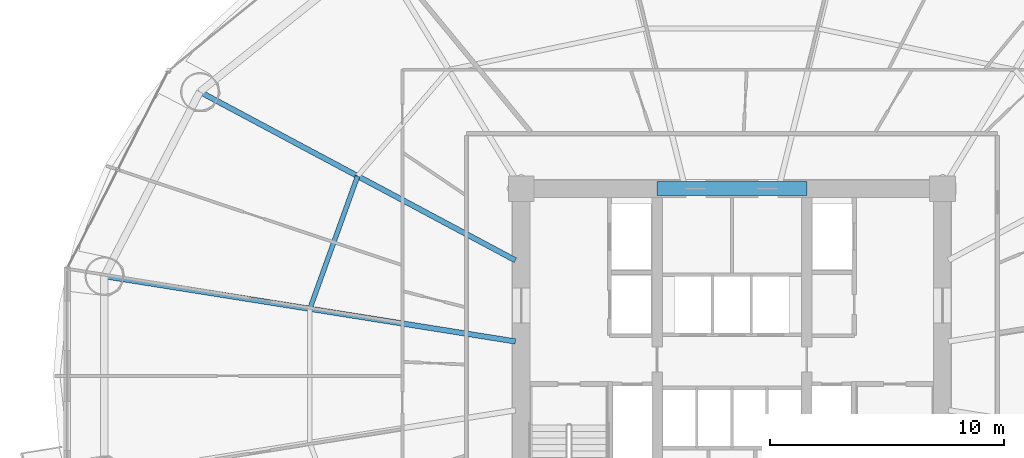
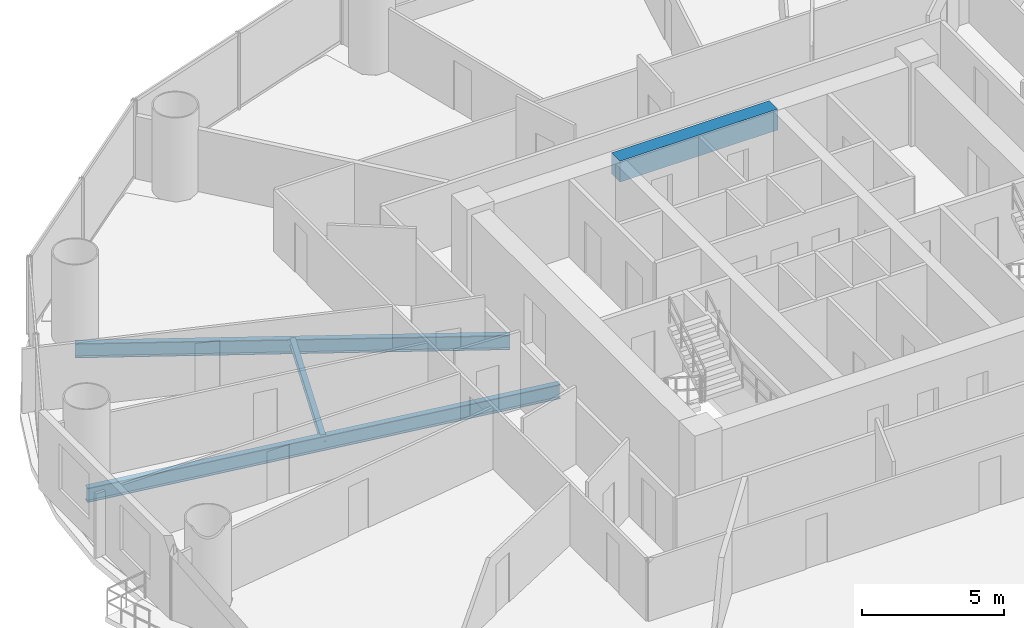
# One storey, part 7 of 28: 4 beams.
"""IFC4 building model written with IfcOpenShell, lengths in metres."""

from ifc_helpers import new_model, si_unit, direction, frame, origin, origin_2d, place, context, subcontext, project, spatial, rectangle, i_section, extrude, material, material_profile, profile_set, type_object, element, save


model = new_model("IFC4")

# Units and contexts
model_context = context("Model", 3, precision=1e-05, world=origin(), true_north=direction((-0.2419218956, 0.970295726276)))
body_context = subcontext(model_context, "Body", "Model", "MODEL_VIEW")
ifc_project = project(units=[si_unit("LENGTHUNIT", "METRE"), si_unit("AREAUNIT", "SQUARE_METRE"), si_unit("VOLUMEUNIT", "CUBIC_METRE"), si_unit("PLANEANGLEUNIT", "RADIAN"), si_unit("MASSUNIT", "GRAM", prefix="KILO")], contexts=[model_context])

# Site, building, storey
site_placement = place(None, origin())
site = spatial("IfcSite", under=ifc_project, at=site_placement, CompositionType="ELEMENT")
building_placement = place(site_placement, origin())
building = spatial("IfcBuilding", under=site, at=building_placement, Name="Cobrevalo Terracotta Tower", CompositionType="ELEMENT")
storey_placement = place(building_placement, frame((0.0, 0.0, 34.800048828125)))
storey = spatial("IfcBuildingStorey", under=building, at=storey_placement, Name="L08", CompositionType="ELEMENT", Elevation=34.800048828125)

# Beams
ifc_material_1 = material(Name="Concrete C60", Category="concrete")
ifc_material_profile_1 = material_profile(ifc_material_1, rectangle(XDim=0.60009765625, YDim=0.89990234375, at=origin_2d()), Name="RC CB 600x900")
ifc_profile_set_1 = profile_set([ifc_material_profile_1], Name="Concrete C60")
beam_type_1 = type_object("IfcBeamType", Name="Structural Beam RC CB 600x900 (Concrete C60)", PredefinedType="BEAM", material=ifc_profile_set_1)
beam_1_placement = place(storey_placement, frame((34.800048828125, 34.800048828125, 2.869873046875), z_axis=(1.0, 0.0, 0.0), x_axis=(0.0, 1.0, 0.0)))
element("IfcBeam", 1, at=beam_1_placement, inside=storey, type_object=beam_type_1, Name="L08 core coupling beam 2", PredefinedType="BEAM", context=body_context, shape_type="SweptSolid", body=[
    extrude(rectangle(XDim=0.60009765625, YDim=0.89990234375, at=origin_2d()), origin(), (0.0, 0.0, 1.0), 6.39990234375),
])
ifc_material_2 = material(Name="Steel S355", Category="steel")
ifc_material_profile_2 = material_profile(ifc_material_2, i_section(OverallWidth=0.22998046875, OverallDepth=0.616943359375, WebThickness=0.01318359375, FlangeThickness=0.022216796875, at=origin_2d()), Name="W 610x140")
ifc_profile_set_2 = profile_set([ifc_material_profile_2], Name="Steel S355")
beam_type_2 = type_object("IfcBeamType", Name="Structural Beam W 610x140 (Steel S355)", PredefinedType="BEAM", material=ifc_profile_set_2)
beam_2_placement = place(storey_placement, frame((15.25927734375, 38.939208984375, -0.588623046875), z_axis=(0.88218223571, -0.470908168329, 0.0), x_axis=(0.470908168329, 0.88218223571, 0.0)))
element("IfcBeam", 2, at=beam_2_placement, inside=storey, type_object=beam_type_2, Name="L08 radial floor girder 07", PredefinedType="BEAM", context=body_context, shape_type="SweptSolid", body=[
    extrude(i_section(OverallWidth=0.22998046875, OverallDepth=0.616943359375, WebThickness=0.01318359375, FlangeThickness=0.022216796875, at=origin_2d()), origin(), (0.0, 0.0, 1.0), 15.286865234375),
])
beam_3_placement = place(storey_placement, frame((11.175537109375, 31.062744140625, -0.588623046875), z_axis=(0.987607924622, -0.156941349628, 0.0), x_axis=(0.156941349628, 0.987607924622, 0.0)))
element("IfcBeam", 3, at=beam_3_placement, inside=storey, type_object=beam_type_2, Name="L08 radial floor girder 08", PredefinedType="BEAM", context=body_context, shape_type="SweptSolid", body=[
    extrude(i_section(OverallWidth=0.22998046875, OverallDepth=0.616943359375, WebThickness=0.01318359375, FlangeThickness=0.022216796875, at=origin_2d()), origin(), (0.0, 0.0, 1.0), 17.7900390625),
])
ifc_material_profile_3 = material_profile(ifc_material_2, i_section(OverallWidth=0.2041015625, OverallDepth=0.305908203125, WebThickness=0.008544921875, FlangeThickness=0.0146484375, at=origin_2d()), Name="W 310x67")
ifc_profile_set_3 = profile_set([ifc_material_profile_3], Name="Steel S355")
beam_type_3 = type_object("IfcBeamType", Name="Structural Joist W 310x67 (Steel S355)", PredefinedType="JOIST", material=ifc_profile_set_3)
beam_4_placement = place(storey_placement, frame((22.002197265625, 35.33984375, -0.43310546875), z_axis=(-0.338672151116, -0.940904444701, 0.0), x_axis=(0.940904444701, -0.338672151116, 0.0)))
element("IfcBeam", 4, at=beam_4_placement, inside=storey, type_object=beam_type_3, Name="L08 circumferential secondary floor joist 07", PredefinedType="JOIST", context=body_context, shape_type="SweptSolid", body=[
    extrude(i_section(OverallWidth=0.2041015625, OverallDepth=0.305908203125, WebThickness=0.008544921875, FlangeThickness=0.0146484375, at=origin_2d()), origin(), (0.0, 0.0, 1.0), 6.029296875),
])

save(model, "model.ifc")
